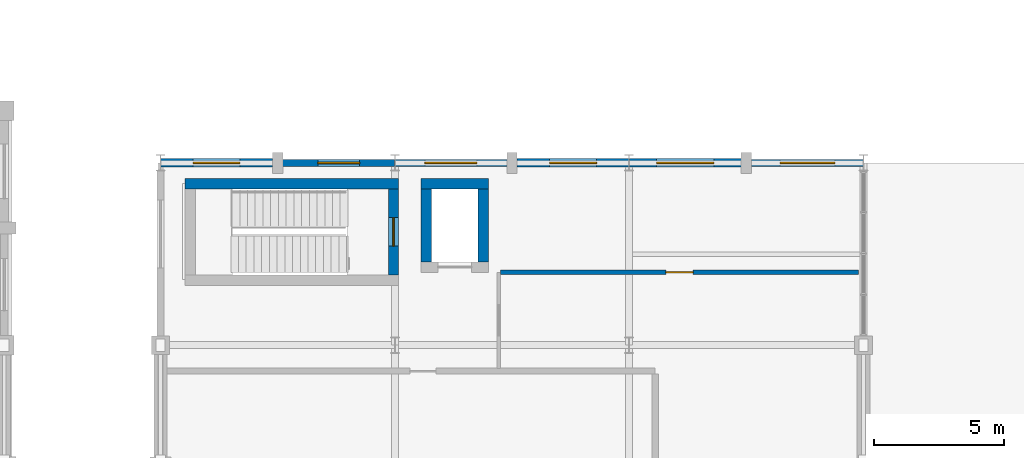
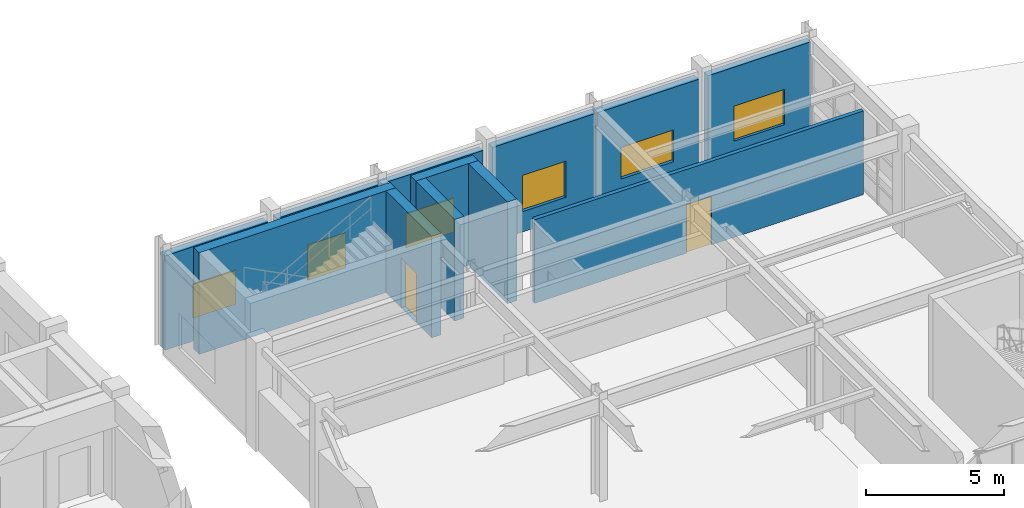
# One storey, part 86 of 104: 12 walls, 6 windows, 2 doors, 8 openings.
"""IFC4 building model written with IfcOpenShell, lengths in metres."""

from ifc_helpers import new_model, si_unit, direction, frame, frame_2d, origin, place, context, subcontext, project, spatial, rectangle, extrude, material, layer, layer_set, type_object, element, fill, save


model = new_model("IFC4")

# Units and contexts
model_context = context("Model", 3, precision=1e-05, world=origin(), true_north=direction((0.0, 1.0)))
body_context = subcontext(model_context, "Body", "Model", "MODEL_VIEW")
ifc_project = project(units=[si_unit("LENGTHUNIT", "METRE"), si_unit("AREAUNIT", "SQUARE_METRE"), si_unit("VOLUMEUNIT", "CUBIC_METRE"), si_unit("PLANEANGLEUNIT", "RADIAN"), si_unit("MASSUNIT", "GRAM", prefix="KILO")], contexts=[model_context])

# Site, building, storey
site_placement = place(None, origin())
site = spatial("IfcSite", under=ifc_project, at=site_placement, CompositionType="ELEMENT")
building_placement = place(site_placement, origin())
building = spatial("IfcBuilding", under=site, at=building_placement, Name="Ventoquebrada Cableway Terminal", CompositionType="ELEMENT")
storey_placement = place(building_placement, frame((0.0, 0.0, 4.800048828125)))
storey = spatial("IfcBuildingStorey", under=building, at=storey_placement, Name="L01", CompositionType="ELEMENT", Elevation=4.800048828125)

# Wall, opening, door
ifc_material_1 = material(Name="Concrete C40/50", Category="concrete")
ifc_layer_1 = layer(ifc_material_1, 0.39990234375)
ifc_layer_set_1 = layer_set([ifc_layer_1], Name="Concrete C40/50")
wall_type_1 = type_object("IfcWallType", Name="WL-CR1", PredefinedType="SHEAR", material=ifc_layer_set_1)
wall_1_placement = place(storey_placement, frame((137.949951171875, 97.699951171875, 0.0), z_axis=(0.0, 0.0, 1.0), x_axis=(0.0, 1.0, 0.0)))
wall_1 = element("IfcWall", 1, at=wall_1_placement, inside=storey, type_object=wall_type_1, Name="Core shear wall IW-0170", PredefinedType="SHEAR", context=body_context, shape_type="SweptSolid", body=[
    extrude(rectangle(XDim=3.300048828125, YDim=0.39990234375, at=frame_2d((1.64990234375, 0.0))), origin(), (0.0, 0.0, 1.0), 4.489990234375),
])
opening_1_placement = place(wall_1_placement, frame((1.10009765625, 0.0, 0.0)))
opening_1 = element("IfcOpeningElement", 2, at=opening_1_placement, cuts=wall_1, Name="Opening D-021", PredefinedType="OPENING", context=body_context, shape_type="SweptSolid", body=[
    extrude(rectangle(XDim=1.10009765625, YDim=2.199951171875, at=frame_2d((0.550048828125, 1.10009765625))), frame((0.0, 0.2099609375, 0.0), z_axis=(0.0, -1.0, 0.0), x_axis=(1.0, 0.0, 0.0)), (0.0, 0.0, 1.0), 0.419921875),
])
ifc_material_2 = material(Name="Galvanized fire-rated steel door assembly", Category="steel")
door_type_1 = type_object("IfcDoorType", Name="DT-IN05", OperationType="SINGLE_SWING_LEFT", PredefinedType="DOOR", material=ifc_material_2)
door_1_placement = place(opening_1_placement, origin())
door_1 = element("IfcDoor", 3, at=door_1_placement, inside=storey, type_object=door_type_1, Name="Core K5-S stair fire door D-021", OperationType="SINGLE_SWING_RIGHT", OverallHeight=2.199951171875, OverallWidth=1.10009765625, PredefinedType="DOOR", context=body_context, shape_type="SweptSolid", body=[
    extrude(rectangle(XDim=1.10009765625, YDim=2.199951171875, at=frame_2d((0.550048828125, 1.10009765625))), frame((0.0, 0.02490234375, 0.0), z_axis=(0.0, -1.0, 0.0), x_axis=(1.0, 0.0, 0.0)), (0.0, 0.0, 1.0), 0.050048828125),
])
fill(opening_1, door_1)

# Walls
wall_2_placement = place(storey_placement, frame((138.14990234375, 101.199951171875, 0.0), z_axis=(0.0, 0.0, 1.0), x_axis=(-1.0, 0.0, 0.0)))
element("IfcWall", 4, at=wall_2_placement, inside=storey, type_object=wall_type_1, Name="Core shear wall IW-0171", PredefinedType="SHEAR", context=body_context, shape_type="SweptSolid", body=[
    extrude(rectangle(XDim=8.199951171875, YDim=0.39990234375, at=frame_2d((4.10009765625, 0.0))), origin(), (0.0, 0.0, 1.0), 4.489990234375),
])
wall_3_placement = place(storey_placement, frame((141.39990234375, 98.199951171875, 0.0), z_axis=(0.0, 0.0, 1.0), x_axis=(0.0, 1.0, 0.0)))
element("IfcWall", 5, at=wall_3_placement, inside=storey, type_object=wall_type_1, Name="Core shear wall IW-0174", PredefinedType="SHEAR", context=body_context, shape_type="SweptSolid", body=[
    extrude(rectangle(XDim=2.800048828125, YDim=0.39990234375, at=frame_2d((1.39990234375, 0.0))), origin(), (0.0, 0.0, 1.0), 4.489990234375),
])
wall_4_placement = place(storey_placement, frame((141.60009765625, 101.199951171875, 0.0), z_axis=(0.0, 0.0, 1.0), x_axis=(-1.0, 0.0, 0.0)))
element("IfcWall", 6, at=wall_4_placement, inside=storey, type_object=wall_type_1, Name="Core shear wall IW-0175", PredefinedType="SHEAR", context=body_context, shape_type="SweptSolid", body=[
    extrude(rectangle(XDim=2.60009765625, YDim=0.39990234375, at=frame_2d((1.300048828125, 0.0))), origin(), (0.0, 0.0, 1.0), 4.489990234375),
])
wall_5_placement = place(storey_placement, frame((139.199951171875, 101.0, 0.0), z_axis=(0.0, 0.0, 1.0), x_axis=(0.0, -1.0, 0.0)))
element("IfcWall", 7, at=wall_5_placement, inside=storey, type_object=wall_type_1, Name="Core shear wall IW-0176", PredefinedType="SHEAR", context=body_context, shape_type="SweptSolid", body=[
    extrude(rectangle(XDim=2.800048828125, YDim=0.39990234375, at=frame_2d((1.39990234375, 0.0))), origin(), (0.0, 0.0, 1.0), 4.489990234375),
])

# Wall, opening, window
ifc_material_3 = material(Name="Precast architectural concrete C40/50", Category="concrete")
ifc_layer_2 = layer(ifc_material_3, 0.280029296875)
ifc_layer_set_2 = layer_set([ifc_layer_2], Name="Precast architectural concrete C40/50")
wall_type_2 = type_object("IfcWallType", Name="WL-EX1", PredefinedType="SOLIDWALL", material=ifc_layer_set_2)
wall_6_placement = place(storey_placement, frame((137.99609375, 102.0, 0.0), z_axis=(0.0, 0.0, 1.0), x_axis=(-1.0, 0.0, 0.0)))
wall_6 = element("IfcWall", 8, at=wall_6_placement, inside=storey, type_object=wall_type_2, Name="Exterior architectural wall EW-0262", PredefinedType="SOLIDWALL", context=body_context, shape_type="SweptSolid", body=[
    extrude(rectangle(XDim=4.301025390625, YDim=0.280029296875, at=frame_2d((2.150390625, 0.0))), origin(), (0.0, 0.0, 1.0), 4.169921875),
])
opening_2_placement = place(wall_6_placement, frame((1.35107421875, 0.0, 0.89990234375)))
opening_2 = element("IfcOpeningElement", 9, at=opening_2_placement, cuts=wall_6, Name="Opening WN-144", PredefinedType="OPENING", context=body_context, shape_type="SweptSolid", body=[
    extrude(rectangle(XDim=1.60009765625, YDim=1.550048828125, at=frame_2d((0.800048828125, 0.77490234375))), frame((0.0, 0.14990234375, 0.0), z_axis=(0.0, -1.0, 0.0), x_axis=(1.0, 0.0, 0.0)), (0.0, 0.0, 1.0), 0.300048828125),
])
ifc_material_4 = material(Name="Double low-e laminated safety glazing", Category="glass")
window_type_1 = type_object("IfcWindowType", Name="WT-04", PartitioningType="SINGLE_PANEL", PredefinedType="WINDOW", material=ifc_material_4)
window_1_placement = place(opening_2_placement, origin())
window_1 = element("IfcWindow", 10, at=window_1_placement, inside=storey, type_object=window_type_1, Name="Architectural punched window WN-144", OverallHeight=1.550048828125, OverallWidth=1.60009765625, PartitioningType="SINGLE_PANEL", PredefinedType="WINDOW", context=body_context, shape_type="SweptSolid", body=[
    extrude(rectangle(XDim=1.60009765625, YDim=1.550048828125, at=frame_2d((0.800048828125, 0.77490234375))), frame((0.0, 0.030029296875, 0.0), z_axis=(0.0, -1.0, 0.0), x_axis=(1.0, 0.0, 0.0)), (0.0, 0.0, 1.0), 0.06005859375),
])
fill(opening_2, window_1)

wall_7_placement = place(storey_placement, frame((142.304931640625, 102.0, 0.0), z_axis=(0.0, 0.0, 1.0), x_axis=(-1.0, 0.0, 0.0)))
wall_7 = element("IfcWall", 11, at=wall_7_placement, inside=storey, type_object=wall_type_2, Name="Exterior architectural wall EW-0265", PredefinedType="SOLIDWALL", context=body_context, shape_type="SweptSolid", body=[
    extrude(rectangle(XDim=4.301025390625, YDim=0.280029296875, at=frame_2d((2.150390625, 0.0))), origin(), (0.0, 0.0, 1.0), 4.169921875),
])
opening_3_placement = place(wall_7_placement, frame((1.15087890625, 0.0, 0.89990234375)))
opening_3 = element("IfcOpeningElement", 12, at=opening_3_placement, cuts=wall_7, Name="Opening WN-147", PredefinedType="OPENING", context=body_context, shape_type="SweptSolid", body=[
    extrude(rectangle(XDim=2.0, YDim=1.5, at=frame_2d((1.0, 0.75))), frame((0.0, 0.14990234375, 0.0), z_axis=(0.0, -1.0, 0.0), x_axis=(1.0, 0.0, 0.0)), (0.0, 0.0, 1.0), 0.300048828125),
])
window_type_2 = type_object("IfcWindowType", Name="WT-07", PartitioningType="SINGLE_PANEL", PredefinedType="WINDOW", material=ifc_material_4)
window_2_placement = place(opening_3_placement, origin())
window_2 = element("IfcWindow", 13, at=window_2_placement, inside=storey, type_object=window_type_2, Name="Architectural punched window WN-147", OverallHeight=1.5, OverallWidth=2.0, PartitioningType="SINGLE_PANEL", PredefinedType="WINDOW", context=body_context, shape_type="SweptSolid", body=[
    extrude(rectangle(XDim=2.0, YDim=1.5, at=frame_2d((1.0, 0.75))), frame((0.0, 0.030029296875, 0.0), z_axis=(0.0, -1.0, 0.0), x_axis=(1.0, 0.0, 0.0)), (0.0, 0.0, 1.0), 0.06005859375),
])
fill(opening_3, window_2)

wall_8_placement = place(storey_placement, frame((155.99609375, 102.0, 0.0), z_axis=(0.0, 0.0, 1.0), x_axis=(-1.0, 0.0, 0.0)))
wall_8 = element("IfcWall", 14, at=wall_8_placement, inside=storey, type_object=wall_type_2, Name="Exterior architectural wall EW-0266", PredefinedType="SOLIDWALL", context=body_context, shape_type="SweptSolid", body=[
    extrude(rectangle(XDim=4.301025390625, YDim=0.280029296875, at=frame_2d((2.150390625, 0.0))), origin(), (0.0, 0.0, 1.0), 4.169921875),
])
opening_4_placement = place(wall_8_placement, frame((1.10107421875, 0.0, 0.89990234375)))
opening_4 = element("IfcOpeningElement", 15, at=opening_4_placement, cuts=wall_8, Name="Opening WN-148", PredefinedType="OPENING", context=body_context, shape_type="SweptSolid", body=[
    extrude(rectangle(XDim=2.10009765625, YDim=1.550048828125, at=frame_2d((1.050048828125, 0.77490234375))), frame((0.0, 0.14990234375, 0.0), z_axis=(0.0, -1.0, 0.0), x_axis=(1.0, 0.0, 0.0)), (0.0, 0.0, 1.0), 0.300048828125),
])
window_type_3 = type_object("IfcWindowType", Name="WT-08", PartitioningType="SINGLE_PANEL", PredefinedType="WINDOW", material=ifc_material_4)
window_3_placement = place(opening_4_placement, origin())
window_3 = element("IfcWindow", 16, at=window_3_placement, inside=storey, type_object=window_type_3, Name="Architectural punched window WN-148", OverallHeight=1.550048828125, OverallWidth=2.10009765625, PartitioningType="SINGLE_PANEL", PredefinedType="WINDOW", context=body_context, shape_type="SweptSolid", body=[
    extrude(rectangle(XDim=2.10009765625, YDim=1.550048828125, at=frame_2d((1.050048828125, 0.77490234375))), frame((0.0, 0.030029296875, 0.0), z_axis=(0.0, -1.0, 0.0), x_axis=(1.0, 0.0, 0.0)), (0.0, 0.0, 1.0), 0.06005859375),
])
fill(opening_4, window_3)

ifc_layer_3 = layer(ifc_material_3, 0.320068359375)
ifc_layer_set_3 = layer_set([ifc_layer_3], Name="Precast architectural concrete C40/50")
wall_type_3 = type_object("IfcWallType", Name="WL-EX2", PredefinedType="SOLIDWALL", material=ifc_layer_set_3)
wall_9_placement = place(storey_placement, frame((133.304931640625, 102.0, 0.0), z_axis=(0.0, 0.0, 1.0), x_axis=(-1.0, 0.0, 0.0)))
wall_9 = element("IfcWall", 17, at=wall_9_placement, inside=storey, type_object=wall_type_3, Name="Exterior architectural wall EW-0263", PredefinedType="SOLIDWALL", context=body_context, shape_type="SweptSolid", body=[
    extrude(rectangle(XDim=4.301025390625, YDim=0.320068359375, at=frame_2d((2.150390625, 0.0))), origin(), (0.0, 0.0, 1.0), 4.169921875),
])
opening_5_placement = place(wall_9_placement, frame((1.2509765625, 0.0, 0.89990234375)))
opening_5 = element("IfcOpeningElement", 18, at=opening_5_placement, cuts=wall_9, Name="Opening WN-145", PredefinedType="OPENING", context=body_context, shape_type="SweptSolid", body=[
    extrude(rectangle(XDim=1.800048828125, YDim=1.5, at=frame_2d((0.89990234375, 0.75))), frame((0.0, 0.169921875, 0.0), z_axis=(0.0, -1.0, 0.0), x_axis=(1.0, 0.0, 0.0)), (0.0, 0.0, 1.0), 0.340087890625),
])
window_type_4 = type_object("IfcWindowType", Name="WT-05", PartitioningType="SINGLE_PANEL", PredefinedType="WINDOW", material=ifc_material_4)
window_4_placement = place(opening_5_placement, origin())
window_4 = element("IfcWindow", 19, at=window_4_placement, inside=storey, type_object=window_type_4, Name="Architectural punched window WN-145", OverallHeight=1.5, OverallWidth=1.800048828125, PartitioningType="SINGLE_PANEL", PredefinedType="WINDOW", context=body_context, shape_type="SweptSolid", body=[
    extrude(rectangle(XDim=1.800048828125, YDim=1.5, at=frame_2d((0.89990234375, 0.75))), frame((0.0, 0.030029296875, 0.0), z_axis=(0.0, -1.0, 0.0), x_axis=(1.0, 0.0, 0.0)), (0.0, 0.0, 1.0), 0.06005859375),
])
fill(opening_5, window_4)

wall_10_placement = place(storey_placement, frame((146.99609375, 102.0, 0.0), z_axis=(0.0, 0.0, 1.0), x_axis=(-1.0, 0.0, 0.0)))
wall_10 = element("IfcWall", 20, at=wall_10_placement, inside=storey, type_object=wall_type_3, Name="Exterior architectural wall EW-0264", PredefinedType="SOLIDWALL", context=body_context, shape_type="SweptSolid", body=[
    extrude(rectangle(XDim=4.301025390625, YDim=0.320068359375, at=frame_2d((2.150390625, 0.0))), origin(), (0.0, 0.0, 1.0), 4.169921875),
])
opening_6_placement = place(wall_10_placement, frame((1.2509765625, 0.0, 0.89990234375)))
opening_6 = element("IfcOpeningElement", 21, at=opening_6_placement, cuts=wall_10, Name="Opening WN-146", PredefinedType="OPENING", context=body_context, shape_type="SweptSolid", body=[
    extrude(rectangle(XDim=1.800048828125, YDim=1.60009765625, at=frame_2d((0.89990234375, 0.800048828125))), frame((0.0, 0.169921875, 0.0), z_axis=(0.0, -1.0, 0.0), x_axis=(1.0, 0.0, 0.0)), (0.0, 0.0, 1.0), 0.340087890625),
])
window_type_5 = type_object("IfcWindowType", Name="WT-06", PartitioningType="SINGLE_PANEL", PredefinedType="WINDOW", material=ifc_material_4)
window_5_placement = place(opening_6_placement, origin())
window_5 = element("IfcWindow", 22, at=window_5_placement, inside=storey, type_object=window_type_5, Name="Architectural punched window WN-146", OverallHeight=1.60009765625, OverallWidth=1.800048828125, PartitioningType="SINGLE_PANEL", PredefinedType="WINDOW", context=body_context, shape_type="SweptSolid", body=[
    extrude(rectangle(XDim=1.800048828125, YDim=1.60009765625, at=frame_2d((0.89990234375, 0.800048828125))), frame((0.0, 0.030029296875, 0.0), z_axis=(0.0, -1.0, 0.0), x_axis=(1.0, 0.0, 0.0)), (0.0, 0.0, 1.0), 0.06005859375),
])
fill(opening_6, window_5)

wall_11_placement = place(storey_placement, frame((151.304931640625, 102.0, 0.0), z_axis=(0.0, 0.0, 1.0), x_axis=(-1.0, 0.0, 0.0)))
wall_11 = element("IfcWall", 23, at=wall_11_placement, inside=storey, type_object=wall_type_3, Name="Exterior architectural wall EW-0267", PredefinedType="SOLIDWALL", context=body_context, shape_type="SweptSolid", body=[
    extrude(rectangle(XDim=4.301025390625, YDim=0.320068359375, at=frame_2d((2.150390625, 0.0))), origin(), (0.0, 0.0, 1.0), 4.169921875),
])
opening_7_placement = place(wall_11_placement, frame((1.051025390625, 0.0, 0.89990234375)))
opening_7 = element("IfcOpeningElement", 24, at=opening_7_placement, cuts=wall_11, Name="Opening WN-149", PredefinedType="OPENING", context=body_context, shape_type="SweptSolid", body=[
    extrude(rectangle(XDim=2.199951171875, YDim=1.39990234375, at=frame_2d((1.10009765625, 0.699951171875))), frame((0.0, 0.169921875, 0.0), z_axis=(0.0, -1.0, 0.0), x_axis=(1.0, 0.0, 0.0)), (0.0, 0.0, 1.0), 0.340087890625),
])
window_type_6 = type_object("IfcWindowType", Name="WT-09", PartitioningType="SINGLE_PANEL", PredefinedType="WINDOW", material=ifc_material_4)
window_6_placement = place(opening_7_placement, origin())
window_6 = element("IfcWindow", 25, at=window_6_placement, inside=storey, type_object=window_type_6, Name="Architectural punched window WN-149", OverallHeight=1.39990234375, OverallWidth=2.199951171875, PartitioningType="SINGLE_PANEL", PredefinedType="WINDOW", context=body_context, shape_type="SweptSolid", body=[
    extrude(rectangle(XDim=2.199951171875, YDim=1.39990234375, at=frame_2d((1.10009765625, 0.699951171875))), frame((0.0, 0.030029296875, 0.0), z_axis=(0.0, -1.0, 0.0), x_axis=(1.0, 0.0, 0.0)), (0.0, 0.0, 1.0), 0.06005859375),
])
fill(opening_7, window_6)

# Wall, opening, door
ifc_material_5 = material(Name="Fire-rated gypsum partition board on steel framing", Category="steel")
ifc_layer_4 = layer(ifc_material_5, 0.1650390625)
ifc_layer_set_4 = layer_set([ifc_layer_4], Name="Fire-rated gypsum partition board on steel framing")
wall_type_4 = type_object("IfcWallType", Name="WL-PT8", PredefinedType="PARTITIONING", material=ifc_layer_set_4)
wall_12_placement = place(storey_placement, frame((142.06494140625, 97.800048828125, 0.0), z_axis=(0.0, 0.0, 1.0), x_axis=(1.0, 0.0, 0.0)))
wall_12 = element("IfcWall", 26, at=wall_12_placement, inside=storey, type_object=wall_type_4, Name="Interior partition IW-0378", PredefinedType="PARTITIONING", context=body_context, shape_type="SweptSolid", body=[
    extrude(rectangle(XDim=13.735107421875, YDim=0.1650390625, at=frame_2d((6.86767578125, 0.0))), origin(), (0.0, 0.0, 1.0), 3.697998046875),
])
opening_8_placement = place(wall_12_placement, frame((6.343017578125, 0.0, 0.0)))
opening_8 = element("IfcOpeningElement", 27, at=opening_8_placement, cuts=wall_12, Name="Opening D-106", PredefinedType="OPENING", context=body_context, shape_type="SweptSolid", body=[
    extrude(rectangle(XDim=1.050048828125, YDim=2.14990234375, at=frame_2d((0.52490234375, 1.074951171875))), frame((0.0, 0.092529296875, 0.0), z_axis=(0.0, -1.0, 0.0), x_axis=(1.0, 0.0, 0.0)), (0.0, 0.0, 1.0), 0.18505859375),
])
ifc_material_6 = material(Name="Fire-retardant oak acoustic door leaf")
door_type_2 = type_object("IfcDoorType", Name="DT-IN03", OperationType="SINGLE_SWING_LEFT", PredefinedType="DOOR", material=ifc_material_6)
door_2_placement = place(opening_8_placement, origin())
door_2 = element("IfcDoor", 28, at=door_2_placement, inside=storey, type_object=door_type_2, Name="Mezzanine Locker WC Door D-106", OperationType="SINGLE_SWING_LEFT", OverallHeight=2.14990234375, OverallWidth=1.050048828125, PredefinedType="DOOR", context=body_context, shape_type="SweptSolid", body=[
    extrude(rectangle(XDim=1.050048828125, YDim=2.14990234375, at=frame_2d((0.52490234375, 1.074951171875))), frame((0.0, 0.02490234375, 0.0), z_axis=(0.0, -1.0, 0.0), x_axis=(1.0, 0.0, 0.0)), (0.0, 0.0, 1.0), 0.050048828125),
])
fill(opening_8, door_2)

save(model, "model.ifc")
